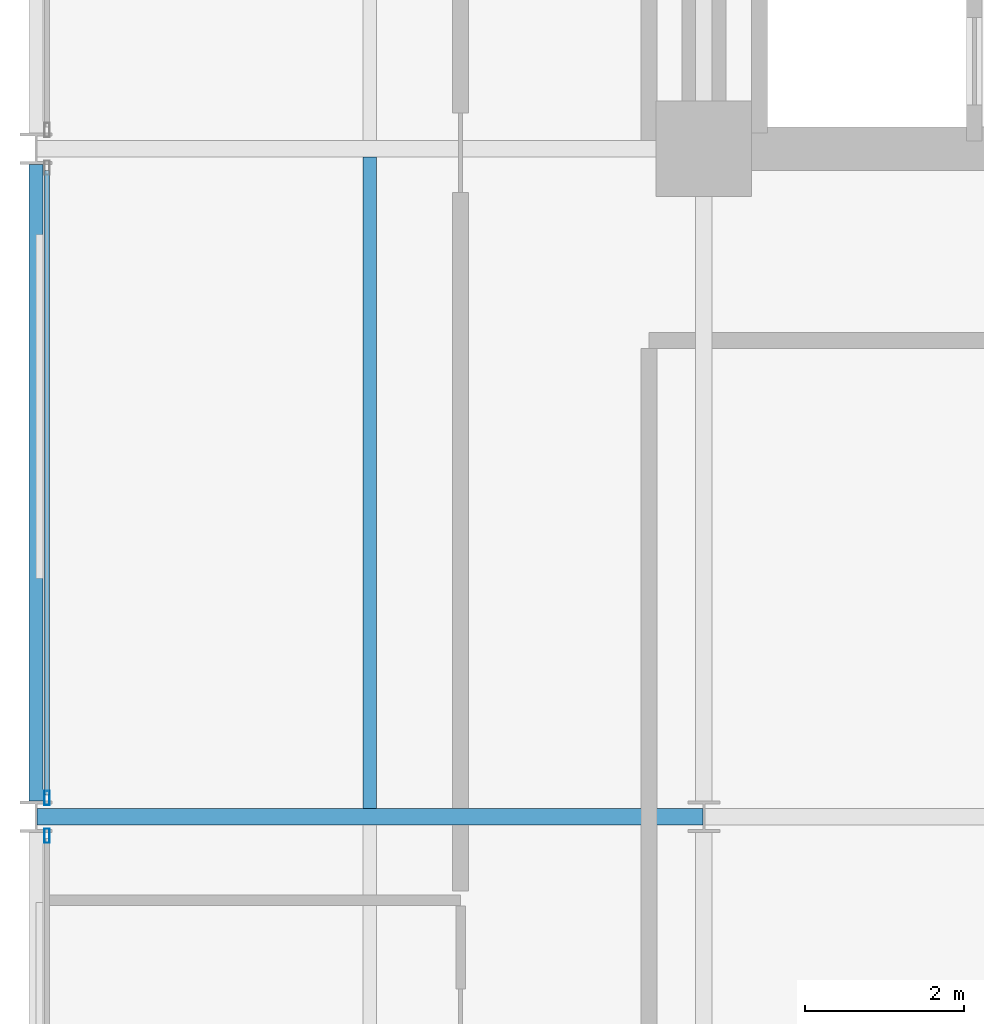
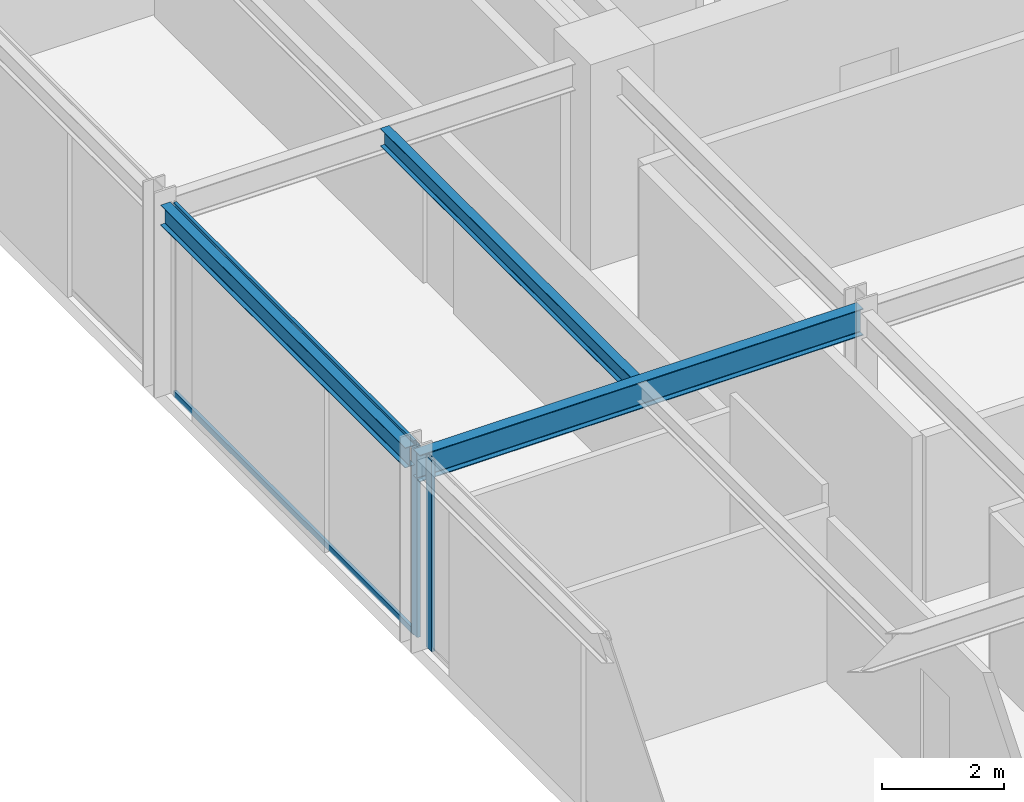
# One storey, part 11 of 38: 4 members, 3 beams, 2 elements without a shape of their own.
"""IFC4 building model written with IfcOpenShell, lengths in metres."""

from ifc_helpers import new_model, si_unit, direction, frame, origin, origin_2d, place, context, subcontext, project, spatial, hollow_rectangle, i_section, extrude, material, layer, layer_set, material_profile, profile_set, type_object, element, aggregate, save


model = new_model("IFC4")

# Units and contexts
model_context = context("Model", 3, precision=1e-05, world=origin(), true_north=direction((0.0, 1.0)))
body_context = subcontext(model_context, "Body", "Model", "MODEL_VIEW")
ifc_project = project(units=[si_unit("LENGTHUNIT", "METRE"), si_unit("AREAUNIT", "SQUARE_METRE"), si_unit("VOLUMEUNIT", "CUBIC_METRE"), si_unit("PLANEANGLEUNIT", "RADIAN"), si_unit("MASSUNIT", "GRAM", prefix="KILO")], contexts=[model_context])

# Site, building, storey
site_placement = place(None, origin())
site = spatial("IfcSite", under=ifc_project, at=site_placement, CompositionType="ELEMENT")
building_placement = place(site_placement, origin())
building = spatial("IfcBuilding", under=site, at=building_placement, Name="Nerrivon Quay Data Exchange", CompositionType="ELEMENT")
storey_placement = place(building_placement, frame((0.0, 0.0, 96.699951171875)))
storey = spatial("IfcBuildingStorey", under=building, at=storey_placement, Name="L22", CompositionType="ELEMENT", Elevation=96.699951171875)

# Beams
ifc_material_1 = material(Name="Steel Grade 350", Category="steel")
ifc_material_profile_1 = material_profile(ifc_material_1, i_section(OverallWidth=0.208984375, OverallDepth=0.532958984375, WebThickness=0.01025390625, FlangeThickness=0.015625, FilletRadius=0.013916015625, at=origin_2d()), Name="530UB92.4")
ifc_profile_set_1 = profile_set([ifc_material_profile_1], Name="Steel Grade 350")
beam_type_1 = type_object("IfcBeamType", Name="BM-G3-530UB92", PredefinedType="BEAM", material=ifc_profile_set_1)
beam_1_placement = place(storey_placement, frame((0.012451171875, 16.800048828125, 3.55859375), z_axis=(1.0, 0.0, 0.0), x_axis=(0.0, 1.0, 0.0)))
element("IfcBeam", 1, at=beam_1_placement, inside=storey, type_object=beam_type_1, Name="L22 EW Girder Y=16.8 (0.0..8.4)", PredefinedType="BEAM", context=body_context, shape_type="SweptSolid", body=[
    extrude(i_section(OverallWidth=0.208984375, OverallDepth=0.532958984375, WebThickness=0.01025390625, FlangeThickness=0.015625, FilletRadius=0.013916015625, at=origin_2d()), origin(), (0.0, 0.0, 1.0), 8.375),
])
ifc_material_profile_2 = material_profile(ifc_material_1, i_section(OverallWidth=0.1708984375, OverallDepth=0.35595703125, WebThickness=0.00732421875, FlangeThickness=0.011474609375, FilletRadius=0.011474609375, at=origin_2d()), Name="360UB50.7")
ifc_profile_set_2 = profile_set([ifc_material_profile_2], Name="Steel Grade 350")
beam_type_2 = type_object("IfcBeamType", Name="BM-J4-360UB51", PredefinedType="JOIST", material=ifc_profile_set_2)
beam_2_placement = place(storey_placement, frame((4.199951171875, 16.904541015625, 3.64697265625), z_axis=(0.0, 1.0, 0.0), x_axis=(-1.0, 0.0, 0.0)))
element("IfcBeam", 2, at=beam_2_placement, inside=storey, type_object=beam_type_2, Name="L22 Secondary Joist X=4.2 (16.8..25.2)", PredefinedType="JOIST", context=body_context, shape_type="SweptSolid", body=[
    extrude(i_section(OverallWidth=0.1708984375, OverallDepth=0.35595703125, WebThickness=0.00732421875, FlangeThickness=0.011474609375, FilletRadius=0.011474609375, at=origin_2d()), origin(), (0.0, 0.0, 1.0), 8.19091796875),
])
ifc_material_profile_3 = material_profile(ifc_material_1, i_section(OverallWidth=0.177978515625, OverallDepth=0.403076171875, WebThickness=0.007568359375, FlangeThickness=0.010986328125, FilletRadius=0.011474609375, at=origin_2d()), Name="410UB53.7")
ifc_profile_set_3 = profile_set([ifc_material_profile_3], Name="Steel Grade 350")
beam_type_3 = type_object("IfcBeamType", Name="BM-SP2-410UB54", PredefinedType="SPANDREL", material=ifc_profile_set_3)
beam_3_placement = place(storey_placement, frame((0.0, 17.0, 3.62353515625), z_axis=(0.0, 1.0, 0.0), x_axis=(-1.0, 0.0, 0.0)))
element("IfcBeam", 3, at=beam_3_placement, inside=storey, type_object=beam_type_3, Name="L22 NS Girder X=0.0 (16.8..25.2)", PredefinedType="SPANDREL", context=body_context, shape_type="SweptSolid", body=[
    extrude(i_section(OverallWidth=0.177978515625, OverallDepth=0.403076171875, WebThickness=0.007568359375, FlangeThickness=0.010986328125, FilletRadius=0.011474609375, at=origin_2d()), origin(), (0.0, 0.0, 1.0), 8.0),
])

# Curtain wall, member
ifc_material_2 = material(Name="Anodised aluminium 6063-T6", Category="aluminium")
ifc_layer = layer(ifc_material_2, 0.2099609375)
ifc_layer_set = layer_set([ifc_layer], Name="Anodised aluminium 6063-T6")
curtain_wall_type = type_object("IfcCurtainWallType", Name="CW-SYS-02", PredefinedType="NOTDEFINED", material=ifc_layer_set)
curtain_wall_1_placement = place(storey_placement, origin())
curtain_wall_1 = element("IfcCurtainWall", 4, at=curtain_wall_1_placement, inside=storey, type_object=curtain_wall_type, Name="L22 Unitised Curtain Wall 18", PredefinedType="NOTDEFINED")
ifc_material_profile_4 = material_profile(ifc_material_2, hollow_rectangle(XDim=0.06494140625, YDim=0.179931640625, WallThickness=0.00341796875, at=origin_2d()), Name="ALU-MULL-180x65")
ifc_profile_set_4 = profile_set([ifc_material_profile_4], Name="Anodised aluminium 6063-T6")
member_type_1 = type_object("IfcMemberType", Name="CWM-180x65", PredefinedType="MULLION", material=ifc_profile_set_4)
member_1_placement = place(storey_placement, frame((0.139892578125, 16.5625, 0.0), z_axis=(0.0, 0.0, 1.0), x_axis=(-1.0, 0.0, 0.0)))
member_1 = element("IfcMember", 5, at=member_1_placement, type_object=member_type_1, Name="CW02 mullion 2", PredefinedType="MULLION", context=body_context, shape_type="SweptSolid", body=[
    extrude(hollow_rectangle(XDim=0.06494140625, YDim=0.179931640625, WallThickness=0.00341796875, at=origin_2d()), origin(), (0.0, 0.0, 1.0), 3.824951171875),
])
aggregate(curtain_wall_1, [member_1])

# Curtain wall, members
curtain_wall_2_placement = place(storey_placement, origin())
curtain_wall_2 = element("IfcCurtainWall", 6, at=curtain_wall_2_placement, inside=storey, type_object=curtain_wall_type, Name="L22 Unitised Curtain Wall 19", PredefinedType="NOTDEFINED")
member_2_placement = place(storey_placement, frame((0.139892578125, 17.03759765625, 0.0), z_axis=(0.0, 0.0, 1.0), x_axis=(-1.0, 0.0, 0.0)))
member_2 = element("IfcMember", 7, at=member_2_placement, type_object=member_type_1, Name="CW02 mullion 1", PredefinedType="MULLION", context=body_context, shape_type="SweptSolid", body=[
    extrude(hollow_rectangle(XDim=0.06494140625, YDim=0.179931640625, WallThickness=0.00341796875, at=origin_2d()), origin(), (0.0, 0.0, 1.0), 3.824951171875),
])
ifc_material_profile_5 = material_profile(ifc_material_2, hollow_rectangle(XDim=0.06005859375, YDim=0.1201171875, WallThickness=0.003173828125, at=origin_2d()), Name="ALU-TRAN-120x60")
ifc_profile_set_5 = profile_set([ifc_material_profile_5], Name="Anodised aluminium 6063-T6")
member_type_2 = type_object("IfcMemberType", Name="CWT-120x60", PredefinedType="USERDEFINED", material=ifc_profile_set_5)
member_3_placement = place(storey_placement, frame((0.139892578125, 17.074951171875, 0.032470703125), z_axis=(0.0, 1.0, 0.0), x_axis=(-1.0, 0.0, 0.0)))
member_3 = element("IfcMember", 8, at=member_3_placement, type_object=member_type_2, Name="CW02 transom 1.1", ObjectType="TRANSOM", PredefinedType="USERDEFINED", context=body_context, shape_type="SweptSolid", body=[
    extrude(hollow_rectangle(XDim=0.06005859375, YDim=0.1201171875, WallThickness=0.003173828125, at=origin_2d()), origin(), (0.0, 0.0, 1.0), 7.85009765625),
])
member_4_placement = place(storey_placement, frame((0.139892578125, 17.074951171875, 3.79248046875), z_axis=(0.0, 1.0, 0.0), x_axis=(-1.0, 0.0, 0.0)))
member_4 = element("IfcMember", 9, at=member_4_placement, type_object=member_type_2, Name="CW02 transom 1.2", ObjectType="TRANSOM", PredefinedType="USERDEFINED", context=body_context, shape_type="SweptSolid", body=[
    extrude(hollow_rectangle(XDim=0.06005859375, YDim=0.1201171875, WallThickness=0.003173828125, at=origin_2d()), origin(), (0.0, 0.0, 1.0), 7.85009765625),
])
aggregate(curtain_wall_2, [member_2, member_3, member_4])

save(model, "model.ifc")
